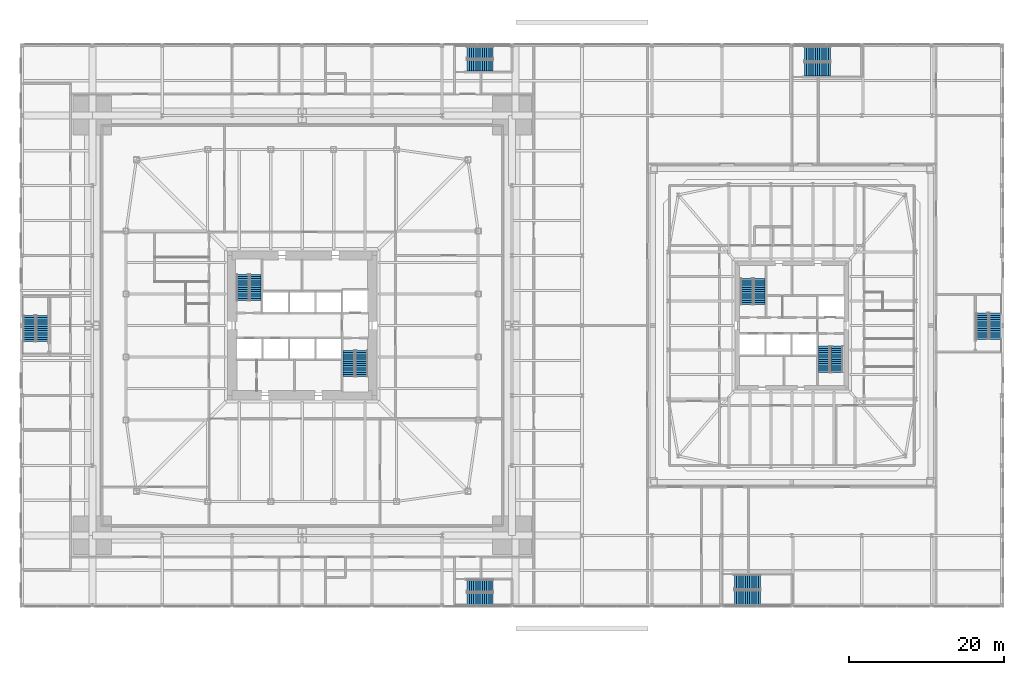
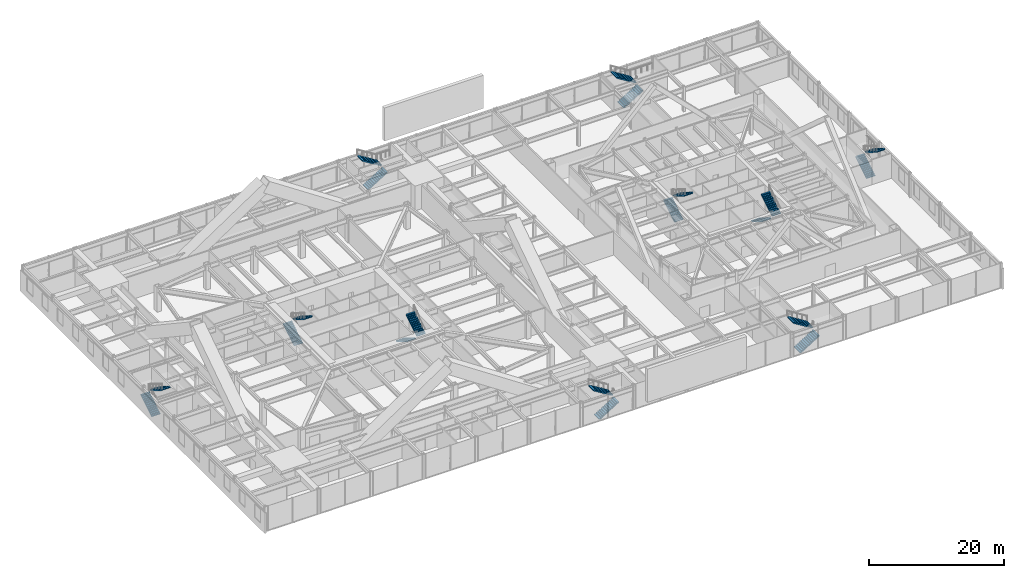
# One storey, part 29 of 32: 20 stair flights, 10 elements without a shape of their own.
"""IFC4 building model written with IfcOpenShell, lengths in metres."""

from ifc_helpers import new_model, si_unit, direction, frame, origin, place, context, subcontext, project, spatial, polyline, outline, extrude, material, constituent, constituent_set, type_object, element, aggregate, save


model = new_model("IFC4")

# Units and contexts
model_context = context("Model", 3, precision=1e-05, world=origin(), true_north=direction((0.0, 1.0)))
body_context = subcontext(model_context, "Body", "Model", "MODEL_VIEW")
ifc_project = project(units=[si_unit("LENGTHUNIT", "METRE"), si_unit("AREAUNIT", "SQUARE_METRE"), si_unit("VOLUMEUNIT", "CUBIC_METRE"), si_unit("PLANEANGLEUNIT", "RADIAN"), si_unit("MASSUNIT", "GRAM", prefix="KILO")], contexts=[model_context])

# Site, building, storey
site_placement = place(None, origin())
site = spatial("IfcSite", under=ifc_project, at=site_placement, CompositionType="ELEMENT")
building_placement = place(site_placement, origin())
building = spatial("IfcBuilding", under=site, at=building_placement, Name="Iwan Alto Co-Living Towers", CompositionType="ELEMENT")
storey_placement = place(building_placement, frame((0.0, 0.0, 6.0)))
storey = spatial("IfcBuildingStorey", under=building, at=storey_placement, Name="L01", CompositionType="ELEMENT", Elevation=6.0)

# Stair, stair flights
ifc_material_1 = material(Name="Steel ASTM A36", Category="steel")
ifc_constituent_1 = constituent(ifc_material_1, Name="Stringers", Category="LoadBearing")
ifc_material_2 = material(Name="Concrete f'c 30 MPa", Category="concrete")
ifc_constituent_2 = constituent(ifc_material_2, Name="Tread fill", Category="Finish")
ifc_constituent_set_1 = constituent_set(constituents=[ifc_constituent_1, ifc_constituent_2], Name="STAIR 4500 TWO-FLIGHT PODIUM")
stair_type_1 = type_object("IfcStairType", Name="STAIR 4500 TWO-FLIGHT PODIUM", PredefinedType="HALF_TURN_STAIR", material=ifc_constituent_set_1)
stair_1_placement = place(storey_placement, origin())
stair_1 = element("IfcStair", 1, at=stair_1_placement, inside=storey, type_object=stair_type_1, Name="Stair PS1 L01 to L02", PredefinedType="HALF_TURN_STAIR")
ifc_constituent_3 = constituent(ifc_material_1, Name="Stringers", Category="LoadBearing")
ifc_constituent_4 = constituent(ifc_material_2, Name="Tread fill", Category="Finish")
ifc_constituent_set_2 = constituent_set(constituents=[ifc_constituent_3, ifc_constituent_4], Name="STAIR FLIGHT 13 RISERS 280 GOING")
stair_flight_type_1 = type_object("IfcStairFlightType", Name="STAIR FLIGHT 13 RISERS 280 GOING", PredefinedType="STRAIGHT", material=ifc_constituent_set_2)
stair_flight_1_placement = place(storey_placement, frame((-35.139892578125, -2.080078125, 0.0), z_axis=(0.0, 0.0, 1.0), x_axis=(0.0, 1.0, 0.0)))
stair_flight_1 = element("IfcStairFlight", 2, at=stair_flight_1_placement, type_object=stair_flight_type_1, Name="PS1 flight 1", NumberOfRisers=13, NumberOfTreads=12, PredefinedType="STRAIGHT", RiserHeight=0.173077, TreadLength=0.28, context=body_context, shape_type="SweptSolid", body=[
    extrude(outline(polyline([(0.0, 0.0), (0.0, 0.173095703125), (0.280029296875, 0.173095703125), (0.280029296875, 0.34619140625), (0.56005859375, 0.34619140625), (0.56005859375, 0.519287109375), (0.840087890625, 0.519287109375), (0.840087890625, 0.6923828125), (1.1201171875, 0.6923828125), (1.1201171875, 0.865478515625), (1.39990234375, 0.865478515625), (1.39990234375, 1.03857421875), (1.679931640625, 1.03857421875), (1.679931640625, 1.21142578125), (1.9599609375, 1.21142578125), (1.9599609375, 1.384521484375), (2.239990234375, 1.384521484375), (2.239990234375, 1.5576171875), (2.52001953125, 1.5576171875), (2.52001953125, 1.730712890625), (2.800048828125, 1.730712890625), (2.800048828125, 1.90380859375), (3.080078125, 1.90380859375), (3.080078125, 2.076904296875), (3.360107421875, 2.076904296875), (3.360107421875, 2.25), (3.360107421875, 1.900634765625), (0.28515625, 0.0), (0.0, 0.0)])), frame((0.0, 0.739990234375, 0.0), z_axis=(0.0, -1.0, 0.0), x_axis=(1.0, 0.0, 0.0)), (0.0, 0.0, 1.0), 1.47998046875),
])
stair_flight_2_placement = place(storey_placement, frame((-33.4599609375, 1.280029296875, 2.25), z_axis=(0.0, 0.0, 1.0), x_axis=(0.0, -1.0, 0.0)))
stair_flight_2 = element("IfcStairFlight", 3, at=stair_flight_2_placement, type_object=stair_flight_type_1, Name="PS1 flight 2", NumberOfRisers=13, NumberOfTreads=12, PredefinedType="STRAIGHT", RiserHeight=0.173077, TreadLength=0.28, context=body_context, shape_type="SweptSolid", body=[
    extrude(outline(polyline([(0.0, 0.0), (0.0, 0.173095703125), (0.280029296875, 0.173095703125), (0.280029296875, 0.34619140625), (0.56005859375, 0.34619140625), (0.56005859375, 0.519287109375), (0.840087890625, 0.519287109375), (0.840087890625, 0.6923828125), (1.1201171875, 0.6923828125), (1.1201171875, 0.865478515625), (1.39990234375, 0.865478515625), (1.39990234375, 1.03857421875), (1.679931640625, 1.03857421875), (1.679931640625, 1.21142578125), (1.9599609375, 1.21142578125), (1.9599609375, 1.384521484375), (2.239990234375, 1.384521484375), (2.239990234375, 1.5576171875), (2.52001953125, 1.5576171875), (2.52001953125, 1.730712890625), (2.800048828125, 1.730712890625), (2.800048828125, 1.90380859375), (3.080078125, 1.90380859375), (3.080078125, 2.076904296875), (3.360107421875, 2.076904296875), (3.360107421875, 2.25), (3.360107421875, 1.900634765625), (0.28515625, 0.0), (0.0, 0.0)])), frame((0.0, 0.739990234375, 0.0), z_axis=(0.0, -1.0, 0.0), x_axis=(1.0, 0.0, 0.0)), (0.0, 0.0, 1.0), 1.47998046875),
])
aggregate(stair_1, [stair_flight_1, stair_flight_2])

stair_2_placement = place(storey_placement, origin())
stair_2 = element("IfcStair", 4, at=stair_2_placement, inside=storey, type_object=stair_type_1, Name="Stair PS2 L01 to L02", PredefinedType="HALF_TURN_STAIR")
stair_flight_3_placement = place(storey_placement, frame((87.4599609375, -1.780029296875, 0.0), z_axis=(0.0, 0.0, 1.0), x_axis=(0.0, 1.0, 0.0)))
stair_flight_3 = element("IfcStairFlight", 5, at=stair_flight_3_placement, type_object=stair_flight_type_1, Name="PS2 flight 1", NumberOfRisers=13, NumberOfTreads=12, PredefinedType="STRAIGHT", RiserHeight=0.173077, TreadLength=0.28, context=body_context, shape_type="SweptSolid", body=[
    extrude(outline(polyline([(0.0, 0.0), (0.0, 0.173095703125), (0.280029296875, 0.173095703125), (0.280029296875, 0.34619140625), (0.56005859375, 0.34619140625), (0.56005859375, 0.519287109375), (0.840087890625, 0.519287109375), (0.840087890625, 0.6923828125), (1.1201171875, 0.6923828125), (1.1201171875, 0.865478515625), (1.39990234375, 0.865478515625), (1.39990234375, 1.03857421875), (1.679931640625, 1.03857421875), (1.679931640625, 1.21142578125), (1.9599609375, 1.21142578125), (1.9599609375, 1.384521484375), (2.239990234375, 1.384521484375), (2.239990234375, 1.5576171875), (2.52001953125, 1.5576171875), (2.52001953125, 1.730712890625), (2.800048828125, 1.730712890625), (2.800048828125, 1.90380859375), (3.080078125, 1.90380859375), (3.080078125, 2.076904296875), (3.360107421875, 2.076904296875), (3.360107421875, 2.25), (3.360107421875, 1.900634765625), (0.28515625, 0.0), (0.0, 0.0)])), frame((0.0, 0.739990234375, 0.0), z_axis=(0.0, -1.0, 0.0), x_axis=(1.0, 0.0, 0.0)), (0.0, 0.0, 1.0), 1.47998046875),
])
stair_flight_4_placement = place(storey_placement, frame((89.139892578125, 1.580078125, 2.25), z_axis=(0.0, 0.0, 1.0), x_axis=(0.0, -1.0, 0.0)))
stair_flight_4 = element("IfcStairFlight", 6, at=stair_flight_4_placement, type_object=stair_flight_type_1, Name="PS2 flight 2", NumberOfRisers=13, NumberOfTreads=12, PredefinedType="STRAIGHT", RiserHeight=0.173077, TreadLength=0.28, context=body_context, shape_type="SweptSolid", body=[
    extrude(outline(polyline([(0.0, 0.0), (0.0, 0.173095703125), (0.280029296875, 0.173095703125), (0.280029296875, 0.34619140625), (0.56005859375, 0.34619140625), (0.56005859375, 0.519287109375), (0.840087890625, 0.519287109375), (0.840087890625, 0.6923828125), (1.1201171875, 0.6923828125), (1.1201171875, 0.865478515625), (1.39990234375, 0.865478515625), (1.39990234375, 1.03857421875), (1.679931640625, 1.03857421875), (1.679931640625, 1.21142578125), (1.9599609375, 1.21142578125), (1.9599609375, 1.384521484375), (2.239990234375, 1.384521484375), (2.239990234375, 1.5576171875), (2.52001953125, 1.5576171875), (2.52001953125, 1.730712890625), (2.800048828125, 1.730712890625), (2.800048828125, 1.90380859375), (3.080078125, 1.90380859375), (3.080078125, 2.076904296875), (3.360107421875, 2.076904296875), (3.360107421875, 2.25), (3.360107421875, 1.900634765625), (0.28515625, 0.0), (0.0, 0.0)])), frame((0.0, 0.739990234375, 0.0), z_axis=(0.0, -1.0, 0.0), x_axis=(1.0, 0.0, 0.0)), (0.0, 0.0, 1.0), 1.47998046875),
])
aggregate(stair_2, [stair_flight_3, stair_flight_4])

stair_3_placement = place(storey_placement, origin())
stair_3 = element("IfcStair", 7, at=stair_3_placement, inside=storey, type_object=stair_type_1, Name="Stair PS3 L01 to L02", PredefinedType="HALF_TURN_STAIR")
stair_flight_5_placement = place(storey_placement, frame((21.219970703125, 33.4599609375, 0.0), z_axis=(0.0, 0.0, 1.0), x_axis=(1.0, 0.0, 0.0)))
stair_flight_5 = element("IfcStairFlight", 8, at=stair_flight_5_placement, type_object=stair_flight_type_1, Name="PS3 flight 1", NumberOfRisers=13, NumberOfTreads=12, PredefinedType="STRAIGHT", RiserHeight=0.173077, TreadLength=0.28, context=body_context, shape_type="SweptSolid", body=[
    extrude(outline(polyline([(0.0, 0.0), (0.0, 0.173095703125), (0.280029296875, 0.173095703125), (0.280029296875, 0.34619140625), (0.56005859375, 0.34619140625), (0.56005859375, 0.519287109375), (0.840087890625, 0.519287109375), (0.840087890625, 0.6923828125), (1.1201171875, 0.6923828125), (1.1201171875, 0.865478515625), (1.39990234375, 0.865478515625), (1.39990234375, 1.03857421875), (1.679931640625, 1.03857421875), (1.679931640625, 1.21142578125), (1.9599609375, 1.21142578125), (1.9599609375, 1.384521484375), (2.239990234375, 1.384521484375), (2.239990234375, 1.5576171875), (2.52001953125, 1.5576171875), (2.52001953125, 1.730712890625), (2.800048828125, 1.730712890625), (2.800048828125, 1.90380859375), (3.080078125, 1.90380859375), (3.080078125, 2.076904296875), (3.360107421875, 2.076904296875), (3.360107421875, 2.25), (3.360107421875, 1.900634765625), (0.28515625, 0.0), (0.0, 0.0)])), frame((0.0, 0.739990234375, 0.0), z_axis=(0.0, -1.0, 0.0), x_axis=(1.0, 0.0, 0.0)), (0.0, 0.0, 1.0), 1.47998046875),
])
stair_flight_6_placement = place(storey_placement, frame((24.580078125, 35.139892578125, 2.25), z_axis=(0.0, 0.0, 1.0), x_axis=(-1.0, 0.0, 0.0)))
stair_flight_6 = element("IfcStairFlight", 9, at=stair_flight_6_placement, type_object=stair_flight_type_1, Name="PS3 flight 2", NumberOfRisers=13, NumberOfTreads=12, PredefinedType="STRAIGHT", RiserHeight=0.173077, TreadLength=0.28, context=body_context, shape_type="SweptSolid", body=[
    extrude(outline(polyline([(0.0, 0.0), (0.0, 0.173095703125), (0.280029296875, 0.173095703125), (0.280029296875, 0.34619140625), (0.56005859375, 0.34619140625), (0.56005859375, 0.519287109375), (0.840087890625, 0.519287109375), (0.840087890625, 0.6923828125), (1.1201171875, 0.6923828125), (1.1201171875, 0.865478515625), (1.39990234375, 0.865478515625), (1.39990234375, 1.03857421875), (1.679931640625, 1.03857421875), (1.679931640625, 1.21142578125), (1.9599609375, 1.21142578125), (1.9599609375, 1.384521484375), (2.239990234375, 1.384521484375), (2.239990234375, 1.5576171875), (2.52001953125, 1.5576171875), (2.52001953125, 1.730712890625), (2.800048828125, 1.730712890625), (2.800048828125, 1.90380859375), (3.080078125, 1.90380859375), (3.080078125, 2.076904296875), (3.360107421875, 2.076904296875), (3.360107421875, 2.25), (3.360107421875, 1.900634765625), (0.28515625, 0.0), (0.0, 0.0)])), frame((0.0, 0.739990234375, 0.0), z_axis=(0.0, -1.0, 0.0), x_axis=(1.0, 0.0, 0.0)), (0.0, 0.0, 1.0), 1.47998046875),
])
aggregate(stair_3, [stair_flight_5, stair_flight_6])

stair_4_placement = place(storey_placement, origin())
stair_4 = element("IfcStair", 10, at=stair_4_placement, inside=storey, type_object=stair_type_1, Name="Stair PS4 L01 to L02", PredefinedType="HALF_TURN_STAIR")
stair_flight_7_placement = place(storey_placement, frame((21.219970703125, -35.139892578125, 0.0), z_axis=(0.0, 0.0, 1.0), x_axis=(1.0, 0.0, 0.0)))
stair_flight_7 = element("IfcStairFlight", 11, at=stair_flight_7_placement, type_object=stair_flight_type_1, Name="PS4 flight 1", NumberOfRisers=13, NumberOfTreads=12, PredefinedType="STRAIGHT", RiserHeight=0.173077, TreadLength=0.28, context=body_context, shape_type="SweptSolid", body=[
    extrude(outline(polyline([(0.0, 0.0), (0.0, 0.173095703125), (0.280029296875, 0.173095703125), (0.280029296875, 0.34619140625), (0.56005859375, 0.34619140625), (0.56005859375, 0.519287109375), (0.840087890625, 0.519287109375), (0.840087890625, 0.6923828125), (1.1201171875, 0.6923828125), (1.1201171875, 0.865478515625), (1.39990234375, 0.865478515625), (1.39990234375, 1.03857421875), (1.679931640625, 1.03857421875), (1.679931640625, 1.21142578125), (1.9599609375, 1.21142578125), (1.9599609375, 1.384521484375), (2.239990234375, 1.384521484375), (2.239990234375, 1.5576171875), (2.52001953125, 1.5576171875), (2.52001953125, 1.730712890625), (2.800048828125, 1.730712890625), (2.800048828125, 1.90380859375), (3.080078125, 1.90380859375), (3.080078125, 2.076904296875), (3.360107421875, 2.076904296875), (3.360107421875, 2.25), (3.360107421875, 1.900634765625), (0.28515625, 0.0), (0.0, 0.0)])), frame((0.0, 0.739990234375, 0.0), z_axis=(0.0, -1.0, 0.0), x_axis=(1.0, 0.0, 0.0)), (0.0, 0.0, 1.0), 1.47998046875),
])
stair_flight_8_placement = place(storey_placement, frame((24.580078125, -33.4599609375, 2.25), z_axis=(0.0, 0.0, 1.0), x_axis=(-1.0, 0.0, 0.0)))
stair_flight_8 = element("IfcStairFlight", 12, at=stair_flight_8_placement, type_object=stair_flight_type_1, Name="PS4 flight 2", NumberOfRisers=13, NumberOfTreads=12, PredefinedType="STRAIGHT", RiserHeight=0.173077, TreadLength=0.28, context=body_context, shape_type="SweptSolid", body=[
    extrude(outline(polyline([(0.0, 0.0), (0.0, 0.173095703125), (0.280029296875, 0.173095703125), (0.280029296875, 0.34619140625), (0.56005859375, 0.34619140625), (0.56005859375, 0.519287109375), (0.840087890625, 0.519287109375), (0.840087890625, 0.6923828125), (1.1201171875, 0.6923828125), (1.1201171875, 0.865478515625), (1.39990234375, 0.865478515625), (1.39990234375, 1.03857421875), (1.679931640625, 1.03857421875), (1.679931640625, 1.21142578125), (1.9599609375, 1.21142578125), (1.9599609375, 1.384521484375), (2.239990234375, 1.384521484375), (2.239990234375, 1.5576171875), (2.52001953125, 1.5576171875), (2.52001953125, 1.730712890625), (2.800048828125, 1.730712890625), (2.800048828125, 1.90380859375), (3.080078125, 1.90380859375), (3.080078125, 2.076904296875), (3.360107421875, 2.076904296875), (3.360107421875, 2.25), (3.360107421875, 1.900634765625), (0.28515625, 0.0), (0.0, 0.0)])), frame((0.0, 0.739990234375, 0.0), z_axis=(0.0, -1.0, 0.0), x_axis=(1.0, 0.0, 0.0)), (0.0, 0.0, 1.0), 1.47998046875),
])
aggregate(stair_4, [stair_flight_7, stair_flight_8])

ifc_constituent_5 = constituent(ifc_material_1, Name="Stringers", Category="LoadBearing")
ifc_constituent_6 = constituent(ifc_material_2, Name="Tread fill", Category="Finish")
ifc_constituent_set_3 = constituent_set(constituents=[ifc_constituent_5, ifc_constituent_6], Name="STAIR 4500 TWO-FLIGHT T1 CORE")
stair_type_2 = type_object("IfcStairType", Name="STAIR 4500 TWO-FLIGHT T1 CORE", PredefinedType="HALF_TURN_STAIR", material=ifc_constituent_set_3)
stair_5_placement = place(storey_placement, origin())
stair_5 = element("IfcStair", 13, at=stair_5_placement, inside=storey, type_object=stair_type_2, Name="Stair T1-S1 L01 to L02", PredefinedType="HALF_TURN_STAIR")
stair_flight_9_placement = place(storey_placement, frame((-7.68994140625, 3.219970703125, 0.0), z_axis=(0.0, 0.0, 1.0), x_axis=(0.0, 1.0, 0.0)))
stair_flight_9 = element("IfcStairFlight", 14, at=stair_flight_9_placement, type_object=stair_flight_type_1, Name="T1-S1 flight 1", NumberOfRisers=13, NumberOfTreads=12, PredefinedType="STRAIGHT", RiserHeight=0.173077, TreadLength=0.28, context=body_context, shape_type="SweptSolid", body=[
    extrude(outline(polyline([(0.0, 0.0), (0.0, 0.173095703125), (0.280029296875, 0.173095703125), (0.280029296875, 0.34619140625), (0.56005859375, 0.34619140625), (0.56005859375, 0.519287109375), (0.840087890625, 0.519287109375), (0.840087890625, 0.6923828125), (1.1201171875, 0.6923828125), (1.1201171875, 0.865478515625), (1.39990234375, 0.865478515625), (1.39990234375, 1.03857421875), (1.679931640625, 1.03857421875), (1.679931640625, 1.21142578125), (1.9599609375, 1.21142578125), (1.9599609375, 1.384521484375), (2.239990234375, 1.384521484375), (2.239990234375, 1.5576171875), (2.52001953125, 1.5576171875), (2.52001953125, 1.730712890625), (2.800048828125, 1.730712890625), (2.800048828125, 1.90380859375), (3.080078125, 1.90380859375), (3.080078125, 2.076904296875), (3.360107421875, 2.076904296875), (3.360107421875, 2.25), (3.360107421875, 1.900634765625), (0.28515625, 0.0), (0.0, 0.0)])), frame((0.0, 0.739990234375, 0.0), z_axis=(0.0, -1.0, 0.0), x_axis=(1.0, 0.0, 0.0)), (0.0, 0.0, 1.0), 1.47998046875),
])
stair_flight_10_placement = place(storey_placement, frame((-6.010009765625, 6.580078125, 2.25), z_axis=(0.0, 0.0, 1.0), x_axis=(0.0, -1.0, 0.0)))
stair_flight_10 = element("IfcStairFlight", 15, at=stair_flight_10_placement, type_object=stair_flight_type_1, Name="T1-S1 flight 2", NumberOfRisers=13, NumberOfTreads=12, PredefinedType="STRAIGHT", RiserHeight=0.173077, TreadLength=0.28, context=body_context, shape_type="SweptSolid", body=[
    extrude(outline(polyline([(0.0, 0.0), (0.0, 0.173095703125), (0.280029296875, 0.173095703125), (0.280029296875, 0.34619140625), (0.56005859375, 0.34619140625), (0.56005859375, 0.519287109375), (0.840087890625, 0.519287109375), (0.840087890625, 0.6923828125), (1.1201171875, 0.6923828125), (1.1201171875, 0.865478515625), (1.39990234375, 0.865478515625), (1.39990234375, 1.03857421875), (1.679931640625, 1.03857421875), (1.679931640625, 1.21142578125), (1.9599609375, 1.21142578125), (1.9599609375, 1.384521484375), (2.239990234375, 1.384521484375), (2.239990234375, 1.5576171875), (2.52001953125, 1.5576171875), (2.52001953125, 1.730712890625), (2.800048828125, 1.730712890625), (2.800048828125, 1.90380859375), (3.080078125, 1.90380859375), (3.080078125, 2.076904296875), (3.360107421875, 2.076904296875), (3.360107421875, 2.25), (3.360107421875, 1.900634765625), (0.28515625, 0.0), (0.0, 0.0)])), frame((0.0, 0.739990234375, 0.0), z_axis=(0.0, -1.0, 0.0), x_axis=(1.0, 0.0, 0.0)), (0.0, 0.0, 1.0), 1.47998046875),
])
aggregate(stair_5, [stair_flight_9, stair_flight_10])

stair_6_placement = place(storey_placement, origin())
stair_6 = element("IfcStair", 16, at=stair_6_placement, inside=storey, type_object=stair_type_2, Name="Stair T1-S2 L01 to L02", PredefinedType="HALF_TURN_STAIR")
stair_flight_11_placement = place(storey_placement, frame((6.010009765625, -3.219970703125, 0.0), z_axis=(0.0, 0.0, 1.0), x_axis=(0.0, -1.0, 0.0)))
stair_flight_11 = element("IfcStairFlight", 17, at=stair_flight_11_placement, type_object=stair_flight_type_1, Name="T1-S2 flight 1", NumberOfRisers=13, NumberOfTreads=12, PredefinedType="STRAIGHT", RiserHeight=0.173077, TreadLength=0.28, context=body_context, shape_type="SweptSolid", body=[
    extrude(outline(polyline([(0.0, 0.0), (0.0, 0.173095703125), (0.280029296875, 0.173095703125), (0.280029296875, 0.34619140625), (0.56005859375, 0.34619140625), (0.56005859375, 0.519287109375), (0.840087890625, 0.519287109375), (0.840087890625, 0.6923828125), (1.1201171875, 0.6923828125), (1.1201171875, 0.865478515625), (1.39990234375, 0.865478515625), (1.39990234375, 1.03857421875), (1.679931640625, 1.03857421875), (1.679931640625, 1.21142578125), (1.9599609375, 1.21142578125), (1.9599609375, 1.384521484375), (2.239990234375, 1.384521484375), (2.239990234375, 1.5576171875), (2.52001953125, 1.5576171875), (2.52001953125, 1.730712890625), (2.800048828125, 1.730712890625), (2.800048828125, 1.90380859375), (3.080078125, 1.90380859375), (3.080078125, 2.076904296875), (3.360107421875, 2.076904296875), (3.360107421875, 2.25), (3.360107421875, 1.900634765625), (0.28515625, 0.0), (0.0, 0.0)])), frame((0.0, 0.739990234375, 0.0), z_axis=(0.0, -1.0, 0.0), x_axis=(1.0, 0.0, 0.0)), (0.0, 0.0, 1.0), 1.47998046875),
])
stair_flight_12_placement = place(storey_placement, frame((7.68994140625, -6.580078125, 2.25), z_axis=(0.0, 0.0, 1.0), x_axis=(0.0, 1.0, 0.0)))
stair_flight_12 = element("IfcStairFlight", 18, at=stair_flight_12_placement, type_object=stair_flight_type_1, Name="T1-S2 flight 2", NumberOfRisers=13, NumberOfTreads=12, PredefinedType="STRAIGHT", RiserHeight=0.173077, TreadLength=0.28, context=body_context, shape_type="SweptSolid", body=[
    extrude(outline(polyline([(0.0, 0.0), (0.0, 0.173095703125), (0.280029296875, 0.173095703125), (0.280029296875, 0.34619140625), (0.56005859375, 0.34619140625), (0.56005859375, 0.519287109375), (0.840087890625, 0.519287109375), (0.840087890625, 0.6923828125), (1.1201171875, 0.6923828125), (1.1201171875, 0.865478515625), (1.39990234375, 0.865478515625), (1.39990234375, 1.03857421875), (1.679931640625, 1.03857421875), (1.679931640625, 1.21142578125), (1.9599609375, 1.21142578125), (1.9599609375, 1.384521484375), (2.239990234375, 1.384521484375), (2.239990234375, 1.5576171875), (2.52001953125, 1.5576171875), (2.52001953125, 1.730712890625), (2.800048828125, 1.730712890625), (2.800048828125, 1.90380859375), (3.080078125, 1.90380859375), (3.080078125, 2.076904296875), (3.360107421875, 2.076904296875), (3.360107421875, 2.25), (3.360107421875, 1.900634765625), (0.28515625, 0.0), (0.0, 0.0)])), frame((0.0, 0.739990234375, 0.0), z_axis=(0.0, -1.0, 0.0), x_axis=(1.0, 0.0, 0.0)), (0.0, 0.0, 1.0), 1.47998046875),
])
aggregate(stair_6, [stair_flight_11, stair_flight_12])

ifc_constituent_7 = constituent(ifc_material_1, Name="Stringers", Category="LoadBearing")
ifc_constituent_8 = constituent(ifc_material_2, Name="Tread fill", Category="Finish")
ifc_constituent_set_4 = constituent_set(constituents=[ifc_constituent_7, ifc_constituent_8], Name="STAIR 4500 TWO-FLIGHT T2 CORE")
stair_type_3 = type_object("IfcStairType", Name="STAIR 4500 TWO-FLIGHT T2 CORE", PredefinedType="HALF_TURN_STAIR", material=ifc_constituent_set_4)
stair_7_placement = place(storey_placement, origin())
stair_7 = element("IfcStair", 19, at=stair_7_placement, inside=storey, type_object=stair_type_3, Name="Stair T2-S1 L01 to L02", PredefinedType="HALF_TURN_STAIR")
stair_flight_13_placement = place(storey_placement, frame((57.159912109375, 2.669921875, 0.0), z_axis=(0.0, 0.0, 1.0), x_axis=(0.0, 1.0, 0.0)))
stair_flight_13 = element("IfcStairFlight", 20, at=stair_flight_13_placement, type_object=stair_flight_type_1, Name="T2-S1 flight 1", NumberOfRisers=13, NumberOfTreads=12, PredefinedType="STRAIGHT", RiserHeight=0.173077, TreadLength=0.28, context=body_context, shape_type="SweptSolid", body=[
    extrude(outline(polyline([(0.0, 0.0), (0.0, 0.173095703125), (0.280029296875, 0.173095703125), (0.280029296875, 0.34619140625), (0.56005859375, 0.34619140625), (0.56005859375, 0.519287109375), (0.840087890625, 0.519287109375), (0.840087890625, 0.6923828125), (1.1201171875, 0.6923828125), (1.1201171875, 0.865478515625), (1.39990234375, 0.865478515625), (1.39990234375, 1.03857421875), (1.679931640625, 1.03857421875), (1.679931640625, 1.21142578125), (1.9599609375, 1.21142578125), (1.9599609375, 1.384521484375), (2.239990234375, 1.384521484375), (2.239990234375, 1.5576171875), (2.52001953125, 1.5576171875), (2.52001953125, 1.730712890625), (2.800048828125, 1.730712890625), (2.800048828125, 1.90380859375), (3.080078125, 1.90380859375), (3.080078125, 2.076904296875), (3.360107421875, 2.076904296875), (3.360107421875, 2.25), (3.360107421875, 1.900634765625), (0.28515625, 0.0), (0.0, 0.0)])), frame((0.0, 0.739990234375, 0.0), z_axis=(0.0, -1.0, 0.0), x_axis=(1.0, 0.0, 0.0)), (0.0, 0.0, 1.0), 1.47998046875),
])
stair_flight_14_placement = place(storey_placement, frame((58.840087890625, 6.030029296875, 2.25), z_axis=(0.0, 0.0, 1.0), x_axis=(0.0, -1.0, 0.0)))
stair_flight_14 = element("IfcStairFlight", 21, at=stair_flight_14_placement, type_object=stair_flight_type_1, Name="T2-S1 flight 2", NumberOfRisers=13, NumberOfTreads=12, PredefinedType="STRAIGHT", RiserHeight=0.173077, TreadLength=0.28, context=body_context, shape_type="SweptSolid", body=[
    extrude(outline(polyline([(0.0, 0.0), (0.0, 0.173095703125), (0.280029296875, 0.173095703125), (0.280029296875, 0.34619140625), (0.56005859375, 0.34619140625), (0.56005859375, 0.519287109375), (0.840087890625, 0.519287109375), (0.840087890625, 0.6923828125), (1.1201171875, 0.6923828125), (1.1201171875, 0.865478515625), (1.39990234375, 0.865478515625), (1.39990234375, 1.03857421875), (1.679931640625, 1.03857421875), (1.679931640625, 1.21142578125), (1.9599609375, 1.21142578125), (1.9599609375, 1.384521484375), (2.239990234375, 1.384521484375), (2.239990234375, 1.5576171875), (2.52001953125, 1.5576171875), (2.52001953125, 1.730712890625), (2.800048828125, 1.730712890625), (2.800048828125, 1.90380859375), (3.080078125, 1.90380859375), (3.080078125, 2.076904296875), (3.360107421875, 2.076904296875), (3.360107421875, 2.25), (3.360107421875, 1.900634765625), (0.28515625, 0.0), (0.0, 0.0)])), frame((0.0, 0.739990234375, 0.0), z_axis=(0.0, -1.0, 0.0), x_axis=(1.0, 0.0, 0.0)), (0.0, 0.0, 1.0), 1.47998046875),
])
aggregate(stair_7, [stair_flight_13, stair_flight_14])

stair_8_placement = place(storey_placement, origin())
stair_8 = element("IfcStair", 22, at=stair_8_placement, inside=storey, type_object=stair_type_3, Name="Stair T2-S2 L01 to L02", PredefinedType="HALF_TURN_STAIR")
stair_flight_15_placement = place(storey_placement, frame((67.159912109375, -2.669921875, 0.0), z_axis=(0.0, 0.0, 1.0), x_axis=(0.0, -1.0, 0.0)))
stair_flight_15 = element("IfcStairFlight", 23, at=stair_flight_15_placement, type_object=stair_flight_type_1, Name="T2-S2 flight 1", NumberOfRisers=13, NumberOfTreads=12, PredefinedType="STRAIGHT", RiserHeight=0.173077, TreadLength=0.28, context=body_context, shape_type="SweptSolid", body=[
    extrude(outline(polyline([(0.0, 0.0), (0.0, 0.173095703125), (0.280029296875, 0.173095703125), (0.280029296875, 0.34619140625), (0.56005859375, 0.34619140625), (0.56005859375, 0.519287109375), (0.840087890625, 0.519287109375), (0.840087890625, 0.6923828125), (1.1201171875, 0.6923828125), (1.1201171875, 0.865478515625), (1.39990234375, 0.865478515625), (1.39990234375, 1.03857421875), (1.679931640625, 1.03857421875), (1.679931640625, 1.21142578125), (1.9599609375, 1.21142578125), (1.9599609375, 1.384521484375), (2.239990234375, 1.384521484375), (2.239990234375, 1.5576171875), (2.52001953125, 1.5576171875), (2.52001953125, 1.730712890625), (2.800048828125, 1.730712890625), (2.800048828125, 1.90380859375), (3.080078125, 1.90380859375), (3.080078125, 2.076904296875), (3.360107421875, 2.076904296875), (3.360107421875, 2.25), (3.360107421875, 1.900634765625), (0.28515625, 0.0), (0.0, 0.0)])), frame((0.0, 0.739990234375, 0.0), z_axis=(0.0, -1.0, 0.0), x_axis=(1.0, 0.0, 0.0)), (0.0, 0.0, 1.0), 1.47998046875),
])
stair_flight_16_placement = place(storey_placement, frame((68.840087890625, -6.030029296875, 2.25), z_axis=(0.0, 0.0, 1.0), x_axis=(0.0, 1.0, 0.0)))
stair_flight_16 = element("IfcStairFlight", 24, at=stair_flight_16_placement, type_object=stair_flight_type_1, Name="T2-S2 flight 2", NumberOfRisers=13, NumberOfTreads=12, PredefinedType="STRAIGHT", RiserHeight=0.173077, TreadLength=0.28, context=body_context, shape_type="SweptSolid", body=[
    extrude(outline(polyline([(0.0, 0.0), (0.0, 0.173095703125), (0.280029296875, 0.173095703125), (0.280029296875, 0.34619140625), (0.56005859375, 0.34619140625), (0.56005859375, 0.519287109375), (0.840087890625, 0.519287109375), (0.840087890625, 0.6923828125), (1.1201171875, 0.6923828125), (1.1201171875, 0.865478515625), (1.39990234375, 0.865478515625), (1.39990234375, 1.03857421875), (1.679931640625, 1.03857421875), (1.679931640625, 1.21142578125), (1.9599609375, 1.21142578125), (1.9599609375, 1.384521484375), (2.239990234375, 1.384521484375), (2.239990234375, 1.5576171875), (2.52001953125, 1.5576171875), (2.52001953125, 1.730712890625), (2.800048828125, 1.730712890625), (2.800048828125, 1.90380859375), (3.080078125, 1.90380859375), (3.080078125, 2.076904296875), (3.360107421875, 2.076904296875), (3.360107421875, 2.25), (3.360107421875, 1.900634765625), (0.28515625, 0.0), (0.0, 0.0)])), frame((0.0, 0.739990234375, 0.0), z_axis=(0.0, -1.0, 0.0), x_axis=(1.0, 0.0, 0.0)), (0.0, 0.0, 1.0), 1.47998046875),
])
aggregate(stair_8, [stair_flight_15, stair_flight_16])

ifc_constituent_9 = constituent(ifc_material_1, Name="Stringers", Category="LoadBearing")
ifc_constituent_10 = constituent(ifc_material_2, Name="Tread fill", Category="Finish")
ifc_constituent_set_5 = constituent_set(constituents=[ifc_constituent_9, ifc_constituent_10], Name="STAIR 4500 TWO-FLIGHT PODIUM 1800 WIDE")
stair_type_4 = type_object("IfcStairType", Name="STAIR 4500 TWO-FLIGHT PODIUM 1800 WIDE", PredefinedType="HALF_TURN_STAIR", material=ifc_constituent_set_5)
stair_9_placement = place(storey_placement, origin())
stair_9 = element("IfcStair", 25, at=stair_9_placement, inside=storey, type_object=stair_type_4, Name="Stair PS5 L01 to L02", PredefinedType="HALF_TURN_STAIR")
ifc_constituent_11 = constituent(ifc_material_1, Name="Stringers", Category="LoadBearing")
ifc_constituent_12 = constituent(ifc_material_2, Name="Tread fill", Category="Finish")
ifc_constituent_set_6 = constituent_set(constituents=[ifc_constituent_11, ifc_constituent_12], Name="STAIR FLIGHT 13 RISERS 280 GOING 1800 WIDE")
stair_flight_type_2 = type_object("IfcStairFlightType", Name="STAIR FLIGHT 13 RISERS 280 GOING 1800 WIDE", PredefinedType="STRAIGHT", material=ifc_constituent_set_6)
stair_flight_17_placement = place(storey_placement, frame((64.6201171875, 32.97998046875, 0.0), z_axis=(0.0, 0.0, 1.0), x_axis=(1.0, 0.0, 0.0)))
stair_flight_17 = element("IfcStairFlight", 26, at=stair_flight_17_placement, type_object=stair_flight_type_2, Name="PS5 flight 1", NumberOfRisers=13, NumberOfTreads=12, PredefinedType="STRAIGHT", RiserHeight=0.173077, TreadLength=0.28, context=body_context, shape_type="SweptSolid", body=[
    extrude(outline(polyline([(0.0, 0.0), (0.0, 0.173095703125), (0.280029296875, 0.173095703125), (0.280029296875, 0.34619140625), (0.56005859375, 0.34619140625), (0.56005859375, 0.519287109375), (0.840087890625, 0.519287109375), (0.840087890625, 0.6923828125), (1.1201171875, 0.6923828125), (1.1201171875, 0.865478515625), (1.39990234375, 0.865478515625), (1.39990234375, 1.03857421875), (1.679931640625, 1.03857421875), (1.679931640625, 1.21142578125), (1.9599609375, 1.21142578125), (1.9599609375, 1.384521484375), (2.239990234375, 1.384521484375), (2.239990234375, 1.5576171875), (2.52001953125, 1.5576171875), (2.52001953125, 1.730712890625), (2.800048828125, 1.730712890625), (2.800048828125, 1.90380859375), (3.080078125, 1.90380859375), (3.080078125, 2.076904296875), (3.360107421875, 2.076904296875), (3.360107421875, 2.25), (3.360107421875, 1.900634765625), (0.28515625, 0.0), (0.0, 0.0)])), frame((0.0, 0.89990234375, 0.0), z_axis=(0.0, -1.0, 0.0), x_axis=(1.0, 0.0, 0.0)), (0.0, 0.0, 1.0), 1.800048828125),
])
stair_flight_18_placement = place(storey_placement, frame((67.97998046875, 34.97998046875, 2.25), z_axis=(0.0, 0.0, 1.0), x_axis=(-1.0, 0.0, 0.0)))
stair_flight_18 = element("IfcStairFlight", 27, at=stair_flight_18_placement, type_object=stair_flight_type_2, Name="PS5 flight 2", NumberOfRisers=13, NumberOfTreads=12, PredefinedType="STRAIGHT", RiserHeight=0.173077, TreadLength=0.28, context=body_context, shape_type="SweptSolid", body=[
    extrude(outline(polyline([(0.0, 0.0), (0.0, 0.173095703125), (0.280029296875, 0.173095703125), (0.280029296875, 0.34619140625), (0.56005859375, 0.34619140625), (0.56005859375, 0.519287109375), (0.840087890625, 0.519287109375), (0.840087890625, 0.6923828125), (1.1201171875, 0.6923828125), (1.1201171875, 0.865478515625), (1.39990234375, 0.865478515625), (1.39990234375, 1.03857421875), (1.679931640625, 1.03857421875), (1.679931640625, 1.21142578125), (1.9599609375, 1.21142578125), (1.9599609375, 1.384521484375), (2.239990234375, 1.384521484375), (2.239990234375, 1.5576171875), (2.52001953125, 1.5576171875), (2.52001953125, 1.730712890625), (2.800048828125, 1.730712890625), (2.800048828125, 1.90380859375), (3.080078125, 1.90380859375), (3.080078125, 2.076904296875), (3.360107421875, 2.076904296875), (3.360107421875, 2.25), (3.360107421875, 1.900634765625), (0.28515625, 0.0), (0.0, 0.0)])), frame((0.0, 0.89990234375, 0.0), z_axis=(0.0, -1.0, 0.0), x_axis=(1.0, 0.0, 0.0)), (0.0, 0.0, 1.0), 1.800048828125),
])
aggregate(stair_9, [stair_flight_17, stair_flight_18])

stair_10_placement = place(storey_placement, origin())
stair_10 = element("IfcStair", 28, at=stair_10_placement, inside=storey, type_object=stair_type_4, Name="Stair PS6 L01 to L02", PredefinedType="HALF_TURN_STAIR")
stair_flight_19_placement = place(storey_placement, frame((55.6201171875, -34.97998046875, 0.0), z_axis=(0.0, 0.0, 1.0), x_axis=(1.0, 0.0, 0.0)))
stair_flight_19 = element("IfcStairFlight", 29, at=stair_flight_19_placement, type_object=stair_flight_type_2, Name="PS6 flight 1", NumberOfRisers=13, NumberOfTreads=12, PredefinedType="STRAIGHT", RiserHeight=0.173077, TreadLength=0.28, context=body_context, shape_type="SweptSolid", body=[
    extrude(outline(polyline([(0.0, 0.0), (0.0, 0.173095703125), (0.280029296875, 0.173095703125), (0.280029296875, 0.34619140625), (0.56005859375, 0.34619140625), (0.56005859375, 0.519287109375), (0.840087890625, 0.519287109375), (0.840087890625, 0.6923828125), (1.1201171875, 0.6923828125), (1.1201171875, 0.865478515625), (1.39990234375, 0.865478515625), (1.39990234375, 1.03857421875), (1.679931640625, 1.03857421875), (1.679931640625, 1.21142578125), (1.9599609375, 1.21142578125), (1.9599609375, 1.384521484375), (2.239990234375, 1.384521484375), (2.239990234375, 1.5576171875), (2.52001953125, 1.5576171875), (2.52001953125, 1.730712890625), (2.800048828125, 1.730712890625), (2.800048828125, 1.90380859375), (3.080078125, 1.90380859375), (3.080078125, 2.076904296875), (3.360107421875, 2.076904296875), (3.360107421875, 2.25), (3.360107421875, 1.900634765625), (0.28515625, 0.0), (0.0, 0.0)])), frame((0.0, 0.89990234375, 0.0), z_axis=(0.0, -1.0, 0.0), x_axis=(1.0, 0.0, 0.0)), (0.0, 0.0, 1.0), 1.800048828125),
])
stair_flight_20_placement = place(storey_placement, frame((58.97998046875, -32.97998046875, 2.25), z_axis=(0.0, 0.0, 1.0), x_axis=(-1.0, 0.0, 0.0)))
stair_flight_20 = element("IfcStairFlight", 30, at=stair_flight_20_placement, type_object=stair_flight_type_2, Name="PS6 flight 2", NumberOfRisers=13, NumberOfTreads=12, PredefinedType="STRAIGHT", RiserHeight=0.173077, TreadLength=0.28, context=body_context, shape_type="SweptSolid", body=[
    extrude(outline(polyline([(0.0, 0.0), (0.0, 0.173095703125), (0.280029296875, 0.173095703125), (0.280029296875, 0.34619140625), (0.56005859375, 0.34619140625), (0.56005859375, 0.519287109375), (0.840087890625, 0.519287109375), (0.840087890625, 0.6923828125), (1.1201171875, 0.6923828125), (1.1201171875, 0.865478515625), (1.39990234375, 0.865478515625), (1.39990234375, 1.03857421875), (1.679931640625, 1.03857421875), (1.679931640625, 1.21142578125), (1.9599609375, 1.21142578125), (1.9599609375, 1.384521484375), (2.239990234375, 1.384521484375), (2.239990234375, 1.5576171875), (2.52001953125, 1.5576171875), (2.52001953125, 1.730712890625), (2.800048828125, 1.730712890625), (2.800048828125, 1.90380859375), (3.080078125, 1.90380859375), (3.080078125, 2.076904296875), (3.360107421875, 2.076904296875), (3.360107421875, 2.25), (3.360107421875, 1.900634765625), (0.28515625, 0.0), (0.0, 0.0)])), frame((0.0, 0.89990234375, 0.0), z_axis=(0.0, -1.0, 0.0), x_axis=(1.0, 0.0, 0.0)), (0.0, 0.0, 1.0), 1.800048828125),
])
aggregate(stair_10, [stair_flight_19, stair_flight_20])

save(model, "model.ifc")
